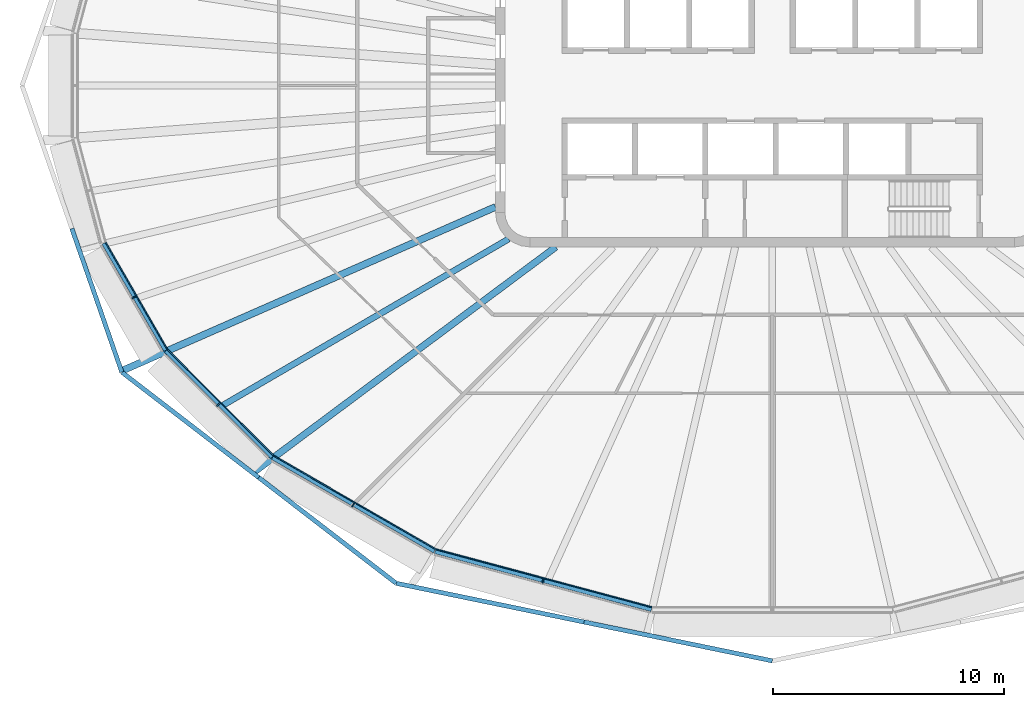
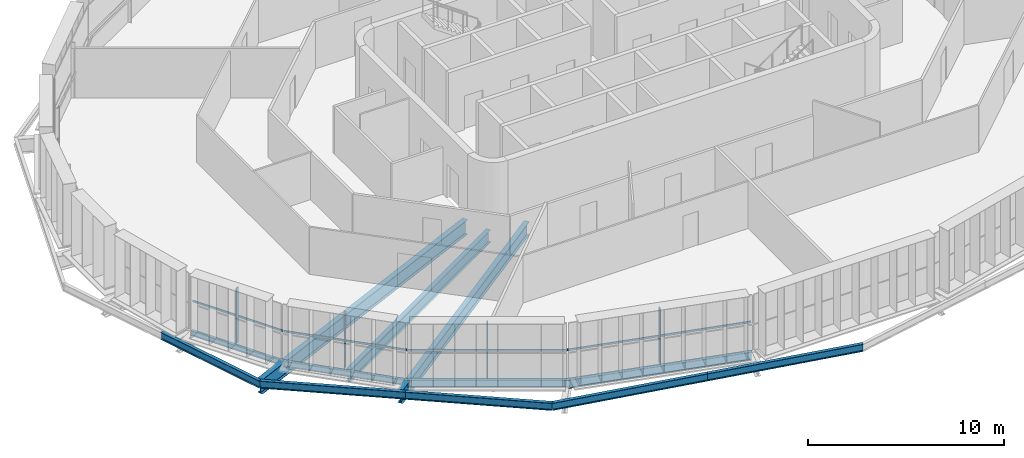
# One storey, part 1 of 20: 12 beams, 8 members, 4 elements without a shape of their own.
"""IFC4 building model written with IfcOpenShell, lengths in metres."""

from ifc_helpers import new_model, si_unit, direction, frame, origin, origin_2d, place, context, subcontext, project, spatial, rectangle, i_section, extrude, material, layer, layer_set, material_profile, profile_set, type_object, element, aggregate, save


model = new_model("IFC4")

# Units and contexts
model_context = context("Model", 3, precision=1e-05, world=origin(), true_north=direction((0.0, 1.0)))
body_context = subcontext(model_context, "Body", "Model", "MODEL_VIEW")
ifc_project = project(units=[si_unit("LENGTHUNIT", "METRE"), si_unit("AREAUNIT", "SQUARE_METRE"), si_unit("VOLUMEUNIT", "CUBIC_METRE"), si_unit("PLANEANGLEUNIT", "RADIAN"), si_unit("MASSUNIT", "GRAM", prefix="KILO")], contexts=[model_context])

# Site, building, storey
site_placement = place(None, origin())
site = spatial("IfcSite", under=ifc_project, at=site_placement, CompositionType="ELEMENT")
building_placement = place(site_placement, origin())
building = spatial("IfcBuilding", under=site, at=building_placement, Name="Sahrelin Media Tower", CompositionType="ELEMENT")
storey_placement = place(building_placement, frame((0.0, 0.0, 255.0)))
storey = spatial("IfcBuildingStorey", under=building, at=storey_placement, Name="L55", CompositionType="ELEMENT", Elevation=255.0)

# Beams
ifc_material_1 = material(Name="Steel S355", Category="steel")
ifc_material_profile_1 = material_profile(ifc_material_1, i_section(OverallWidth=0.1650390625, OverallDepth=0.303466796875, WebThickness=0.006103515625, FlangeThickness=0.01025390625, FilletRadius=0.0087890625, at=origin_2d()), Name="UB 305x165x40")
ifc_profile_set_1 = profile_set([ifc_material_profile_1], Name="Steel S355")
beam_type_1 = type_object("IfcBeamType", Name="Edge beam EB2", PredefinedType="BEAM", material=ifc_profile_set_1)
beam_1_placement = place(storey_placement, frame((-26.315673828125, -11.488037109375, -0.3017578125), z_axis=(-0.500040680786, 0.866001915448, 0.0), x_axis=(-0.866001915448, -0.500040680786, 0.0)))
element("IfcBeam", 1, at=beam_1_placement, inside=storey, type_object=beam_type_1, Name="Edge beam L55-11", PredefinedType="BEAM", context=body_context, shape_type="SweptSolid", body=[
    extrude(i_section(OverallWidth=0.1650390625, OverallDepth=0.303466796875, WebThickness=0.006103515625, FlangeThickness=0.01025390625, FilletRadius=0.0087890625, at=origin_2d()), origin(), (0.0, 0.0, 1.0), 5.35693359375),
])
ifc_material_profile_2 = material_profile(ifc_material_1, i_section(OverallWidth=0.17138671875, OverallDepth=0.35498046875, WebThickness=0.00732421875, FlangeThickness=0.011474609375, FilletRadius=0.01025390625, at=origin_2d()), Name="UB 356x171x51")
ifc_profile_set_2 = profile_set([ifc_material_profile_2], Name="Steel S355")
beam_type_2 = type_object("IfcBeamType", Name="Edge beam EB3", PredefinedType="BEAM", material=ifc_profile_set_2)
beam_2_placement = place(storey_placement, frame((-21.694580078125, -16.11474609375, -0.327392578125), z_axis=(-0.707088031255, 0.707125530621, 0.0), x_axis=(-0.707125530621, -0.707088031255, 0.0)))
element("IfcBeam", 2, at=beam_2_placement, inside=storey, type_object=beam_type_2, Name="Edge beam L55-10", PredefinedType="BEAM", context=body_context, shape_type="SweptSolid", body=[
    extrude(i_section(OverallWidth=0.17138671875, OverallDepth=0.35498046875, WebThickness=0.00732421875, FlangeThickness=0.011474609375, FilletRadius=0.01025390625, at=origin_2d()), origin(), (0.0, 0.0, 1.0), 6.510498046875),
])
ifc_material_profile_3 = material_profile(ifc_material_1, i_section(OverallWidth=0.1904296875, OverallDepth=0.45703125, WebThickness=0.009033203125, FlangeThickness=0.014404296875, FilletRadius=0.01025390625, at=origin_2d()), Name="UB 457x191x74")
ifc_profile_set_3 = profile_set([ifc_material_profile_3], Name="Steel S355")
beam_type_3 = type_object("IfcBeamType", Name="Edge beam EB5", PredefinedType="BEAM", material=ifc_profile_set_3)
beam_3_placement = place(storey_placement, frame((-14.64697265625, -20.18798828125, -0.37841796875), z_axis=(-0.866013664775, 0.500020332009, 0.0), x_axis=(-0.500020332009, -0.866013664775, 0.0)))
element("IfcBeam", 3, at=beam_3_placement, inside=storey, type_object=beam_type_3, Name="Edge beam L55-09", PredefinedType="BEAM", context=body_context, shape_type="SweptSolid", body=[
    extrude(i_section(OverallWidth=0.1904296875, OverallDepth=0.45703125, WebThickness=0.009033203125, FlangeThickness=0.014404296875, FilletRadius=0.01025390625, at=origin_2d()), origin(), (0.0, 0.0, 1.0), 8.111572265625),
])
ifc_material_profile_4 = material_profile(ifc_material_1, i_section(OverallWidth=0.208740234375, OverallDepth=0.5283203125, WebThickness=0.009521484375, FlangeThickness=0.01318359375, FilletRadius=0.0126953125, at=origin_2d()), Name="UB 533x210x82")
ifc_profile_set_4 = profile_set([ifc_material_profile_4], Name="Steel S355")
beam_type_4 = type_object("IfcBeamType", Name="Edge beam EB6", PredefinedType="BEAM", material=ifc_profile_set_4)
beam_4_placement = place(storey_placement, frame((-5.239501953125, -22.71240234375, -0.414306640625), z_axis=(-0.965930098294, 0.258803101237, 0.0), x_axis=(-0.258803101237, -0.965930098294, 0.0)))
element("IfcBeam", 4, at=beam_4_placement, inside=storey, type_object=beam_type_4, Name="Edge beam L55-08", PredefinedType="BEAM", context=body_context, shape_type="SweptSolid", body=[
    extrude(i_section(OverallWidth=0.208740234375, OverallDepth=0.5283203125, WebThickness=0.009521484375, FlangeThickness=0.01318359375, FilletRadius=0.0126953125, at=origin_2d()), origin(), (0.0, 0.0, 1.0), 9.711669921875),
])

# Curtain wall, member
ifc_material_2 = material(Name="Champagne anodised aluminium 6063-T6", Category="aluminium")
ifc_layer = layer(ifc_material_2, 0.14990234375)
ifc_layer_set = layer_set([ifc_layer], Name="Tower ribbon curtain wall")
curtain_wall_type = type_object("IfcCurtainWallType", Name="Tower ribbon curtain wall", PredefinedType="NOTDEFINED", material=ifc_layer_set)
curtain_wall_1_placement = place(storey_placement, frame((-27.784912109375, -9.243408203125, 0.0), z_axis=(0.0, 0.0, 1.0), x_axis=(1.0, 0.0, 0.0)))
curtain_wall_1 = element("IfcCurtainWall", 5, at=curtain_wall_1_placement, inside=storey, type_object=curtain_wall_type, Name="L55:CW:L55-14", PredefinedType="NOTDEFINED")
ifc_material_profile_5 = material_profile(ifc_material_2, rectangle(XDim=0.06005859375, YDim=0.199951171875, at=origin_2d()), Name="Mullion 60x200")
ifc_profile_set_5 = profile_set([ifc_material_profile_5], Name="Champagne anodised aluminium 6063-T6")
member_type_1 = type_object("IfcMemberType", Name="Mullion 60x200 CW1C", PredefinedType="MULLION", material=ifc_profile_set_5)
member_1_placement = place(storey_placement, frame((-27.680908203125, -9.183349609375, 0.0), z_axis=(0.0, 0.0, 1.0), x_axis=(0.5, -0.866025403784, 0.0)))
member_1 = element("IfcMember", 6, at=member_1_placement, type_object=member_type_1, Name="L55:CWM:L55-14", PredefinedType="MULLION", context=body_context, shape_type="SweptSolid", body=[
    extrude(rectangle(XDim=0.06005859375, YDim=0.199951171875, at=origin_2d()), origin(), (0.0, 0.0, 1.0), 3.448486328125),
])

curtain_wall_2_placement = place(storey_placement, frame((-24.102294921875, -13.9189453125, 0.0), z_axis=(0.0, 0.0, 1.0), x_axis=(1.0, 0.0, 0.0)))
curtain_wall_2 = element("IfcCurtainWall", 7, at=curtain_wall_2_placement, inside=storey, type_object=curtain_wall_type, Name="L55:CW:L55-15", PredefinedType="NOTDEFINED")
member_2_placement = place(storey_placement, frame((-24.017578125, -13.833984375, 0.0), z_axis=(0.0, 0.0, 1.0), x_axis=(0.707106781187, -0.707106781187, 0.0)))
member_2 = element("IfcMember", 8, at=member_2_placement, type_object=member_type_1, Name="L55:CWM:L55-15", PredefinedType="MULLION", context=body_context, shape_type="SweptSolid", body=[
    extrude(rectangle(XDim=0.06005859375, YDim=0.199951171875, at=origin_2d()), origin(), (0.0, 0.0, 1.0), 3.448486328125),
])

curtain_wall_3_placement = place(storey_placement, frame((-18.234375, -18.2900390625, 0.0), z_axis=(0.0, 0.0, 1.0), x_axis=(1.0, 0.0, 0.0)))
curtain_wall_3 = element("IfcCurtainWall", 9, at=curtain_wall_3_placement, inside=storey, type_object=curtain_wall_type, Name="L55:CW:L55-16", PredefinedType="NOTDEFINED")
member_3_placement = place(storey_placement, frame((-18.17431640625, -18.18603515625, 0.0), z_axis=(0.0, 0.0, 1.0), x_axis=(0.866022785779, -0.500004534492, 0.0)))
member_3 = element("IfcMember", 10, at=member_3_placement, type_object=member_type_1, Name="L55:CWM:L55-16", PredefinedType="MULLION", context=body_context, shape_type="SweptSolid", body=[
    extrude(rectangle(XDim=0.06005859375, YDim=0.199951171875, at=origin_2d()), origin(), (0.0, 0.0, 1.0), 3.448486328125),
])

curtain_wall_4_placement = place(storey_placement, frame((-9.96875, -21.6005859375, 0.0), z_axis=(0.0, 0.0, 1.0), x_axis=(1.0, 0.0, 0.0)))
curtain_wall_4 = element("IfcCurtainWall", 11, at=curtain_wall_4_placement, inside=storey, type_object=curtain_wall_type, Name="L55:CW:L55-17", PredefinedType="NOTDEFINED")
member_4_placement = place(storey_placement, frame((-9.937744140625, -21.484619140625, 0.0), z_axis=(0.0, 0.0, 1.0), x_axis=(0.965926729732, -0.258815673384, 0.0)))
member_4 = element("IfcMember", 12, at=member_4_placement, type_object=member_type_1, Name="L55:CWM:L55-17", PredefinedType="MULLION", context=body_context, shape_type="SweptSolid", body=[
    extrude(rectangle(XDim=0.06005859375, YDim=0.199951171875, at=origin_2d()), origin(), (0.0, 0.0, 1.0), 3.448486328125),
])

# Beams
ifc_material_profile_6 = material_profile(ifc_material_1, i_section(OverallWidth=0.291748046875, OverallDepth=0.8349609375, WebThickness=0.013916015625, FlangeThickness=0.018798828125, FilletRadius=0.017822265625, at=origin_2d()), Name="UB 838x292x176")
ifc_profile_set_6 = profile_set([ifc_material_profile_6], Name="Steel S355")
beam_type_5 = type_object("IfcBeamType", Name="Radial primary beam PB10", PredefinedType="BEAM", material=ifc_profile_set_6)
beam_5_placement = place(storey_placement, frame((-9.38330078125, -7.0, -0.5673828125), z_axis=(-0.801539735745, -0.597941512209, 0.0), x_axis=(0.597941512209, -0.801539735745, 0.0)))
element("IfcBeam", 13, at=beam_5_placement, inside=storey, type_object=beam_type_5, Name="Radial beam L55-16", PredefinedType="BEAM", context=body_context, shape_type="SweptSolid", body=[
    extrude(i_section(OverallWidth=0.291748046875, OverallDepth=0.8349609375, WebThickness=0.013916015625, FlangeThickness=0.018798828125, FilletRadius=0.017822265625, at=origin_2d()), origin(), (0.0, 0.0, 1.0), 16.29736328125),
])
ifc_material_profile_7 = material_profile(ifc_material_1, i_section(OverallWidth=0.30322265625, OverallDepth=0.903076171875, WebThickness=0.01513671875, FlangeThickness=0.020263671875, FilletRadius=0.01904296875, at=origin_2d()), Name="UB 914x305x201")
ifc_profile_set_7 = profile_set([ifc_material_profile_7], Name="Steel S355")
beam_type_6 = type_object("IfcBeamType", Name="Radial primary beam PB11", PredefinedType="BEAM", material=ifc_profile_set_7)
beam_6_placement = place(storey_placement, frame((-12.0, -5.263916015625, -0.6015625), z_axis=(-0.915775333044, -0.401690850515, 0.0), x_axis=(0.401690850515, -0.915775333044, 0.0)))
element("IfcBeam", 14, at=beam_6_placement, inside=storey, type_object=beam_type_6, Name="Radial beam L55-15", PredefinedType="BEAM", context=body_context, shape_type="SweptSolid", body=[
    extrude(i_section(OverallWidth=0.30322265625, OverallDepth=0.903076171875, WebThickness=0.01513671875, FlangeThickness=0.020263671875, FilletRadius=0.01904296875, at=origin_2d()), origin(), (0.0, 0.0, 1.0), 17.620849609375),
])
ifc_material_profile_8 = material_profile(ifc_material_1, i_section(OverallWidth=0.26513671875, OverallDepth=0.75390625, WebThickness=0.0126953125, FlangeThickness=0.017578125, FilletRadius=0.0166015625, at=origin_2d()), Name="UB 762x267x147")
ifc_profile_set_8 = profile_set([ifc_material_profile_8], Name="Steel S355")
beam_type_7 = type_object("IfcBeamType", Name="Radial secondary beam SB9", PredefinedType="BEAM", material=ifc_profile_set_8)
beam_7_placement = place(storey_placement, frame((-11.435546875, -6.65673828125, -0.527099609375), z_axis=(-0.86424748062, -0.503066886449, 0.0), x_axis=(0.503066886449, -0.86424748062, 0.0)))
element("IfcBeam", 15, at=beam_7_placement, inside=storey, type_object=beam_type_7, Name="Secondary beam L55-15", PredefinedType="BEAM", context=body_context, shape_type="SweptSolid", body=[
    extrude(i_section(OverallWidth=0.26513671875, OverallDepth=0.75390625, WebThickness=0.0126953125, FlangeThickness=0.017578125, FilletRadius=0.0166015625, at=origin_2d()), origin(), (0.0, 0.0, 1.0), 14.33154296875),
])
ifc_material_profile_9 = material_profile(ifc_material_1, i_section(OverallWidth=0.1904296875, OverallDepth=0.45703125, WebThickness=0.009033203125, FlangeThickness=0.014404296875, FilletRadius=0.01025390625, at=origin_2d()), Name="UB 457x191x74")
ifc_profile_set_9 = profile_set([ifc_material_profile_9], Name="Steel S355")
beam_type_8 = type_object("IfcBeamType", Name="Tie chord TC5", PredefinedType="BEAM", material=ifc_profile_set_9)
beam_8_placement = place(storey_placement, frame((0.0, -24.950439453125, -0.37841796875), z_axis=(-0.979377314884, 0.202039785911, 0.0), x_axis=(-0.202039785911, -0.979377314884, 0.0)))
element("IfcBeam", 16, at=beam_8_placement, inside=storey, type_object=beam_type_8, Name="Tie chord L55-07", PredefinedType="BEAM", context=body_context, shape_type="SweptSolid", body=[
    extrude(i_section(OverallWidth=0.1904296875, OverallDepth=0.45703125, WebThickness=0.009033203125, FlangeThickness=0.014404296875, FilletRadius=0.01025390625, at=origin_2d()), origin(), (0.0, 0.0, 1.0), 8.3330078125),
])
beam_9_placement = place(storey_placement, frame((-8.1611328125, -23.266845703125, -0.37841796875), z_axis=(-0.979395476459, 0.201951728619, 0.0), x_axis=(-0.201951728619, -0.979395476459, 0.0)))
element("IfcBeam", 17, at=beam_9_placement, inside=storey, type_object=beam_type_8, Name="Tie chord L55-08", PredefinedType="BEAM", context=body_context, shape_type="SweptSolid", body=[
    extrude(i_section(OverallWidth=0.1904296875, OverallDepth=0.45703125, WebThickness=0.009033203125, FlangeThickness=0.014404296875, FilletRadius=0.01025390625, at=origin_2d()), origin(), (0.0, 0.0, 1.0), 8.322021484375),
])
beam_10_placement = place(storey_placement, frame((-16.311767578125, -21.586181640625, -0.37841796875), z_axis=(-0.79247670773, 0.609902178801, 0.0), x_axis=(-0.609902178801, -0.79247670773, 0.0)))
element("IfcBeam", 18, at=beam_10_placement, inside=storey, type_object=beam_type_8, Name="Tie chord L55-09", PredefinedType="BEAM", context=body_context, shape_type="SweptSolid", body=[
    extrude(i_section(OverallWidth=0.1904296875, OverallDepth=0.45703125, WebThickness=0.009033203125, FlangeThickness=0.014404296875, FilletRadius=0.01025390625, at=origin_2d()), origin(), (0.0, 0.0, 1.0), 7.51904296875),
])
beam_11_placement = place(storey_placement, frame((-22.2705078125, -17.000244140625, -0.37841796875), z_axis=(-0.792439782885, 0.609950154112, 0.0), x_axis=(-0.609950154112, -0.792439782885, 0.0)))
element("IfcBeam", 19, at=beam_11_placement, inside=storey, type_object=beam_type_8, Name="Tie chord L55-10", PredefinedType="BEAM", context=body_context, shape_type="SweptSolid", body=[
    extrude(i_section(OverallWidth=0.1904296875, OverallDepth=0.45703125, WebThickness=0.009033203125, FlangeThickness=0.014404296875, FilletRadius=0.01025390625, at=origin_2d()), origin(), (0.0, 0.0, 1.0), 7.490478515625),
])
beam_12_placement = place(storey_placement, frame((-28.206298828125, -12.431396484375, -0.37841796875), z_axis=(-0.328710220354, 0.944430829143, 0.0), x_axis=(-0.944430829143, -0.328710220354, 0.0)))
element("IfcBeam", 20, at=beam_12_placement, inside=storey, type_object=beam_type_8, Name="Tie chord L55-11", PredefinedType="BEAM", context=body_context, shape_type="SweptSolid", body=[
    extrude(i_section(OverallWidth=0.1904296875, OverallDepth=0.45703125, WebThickness=0.009033203125, FlangeThickness=0.014404296875, FilletRadius=0.01025390625, at=origin_2d()), origin(), (0.0, 0.0, 1.0), 6.592529296875),
])

# Member
ifc_material_profile_10 = material_profile(ifc_material_2, rectangle(XDim=0.050048828125, YDim=0.1201171875, at=origin_2d()), Name="Transom 50x120")
ifc_profile_set_10 = profile_set([ifc_material_profile_10], Name="Champagne anodised aluminium 6063-T6")
member_type_2 = type_object("IfcMemberType", Name="Transom 50x120 CW1C", PredefinedType="USERDEFINED", material=ifc_profile_set_10)
member_5_placement = place(storey_placement, frame((-28.904052734375, -6.81494140625, 1.60009765625), z_axis=(0.500009491695, -0.866019923683, 0.0), x_axis=(0.866019923683, 0.500009491695, 0.0)))
member_5 = element("IfcMember", 21, at=member_5_placement, type_object=member_type_2, Name="L55:CWT:L55-14", ObjectType="TRANSOM", PredefinedType="USERDEFINED", context=body_context, shape_type="SweptSolid", body=[
    extrude(rectangle(XDim=0.050048828125, YDim=0.1201171875, at=origin_2d()), origin(), (0.0, 0.0, 1.0), 5.32568359375),
])

aggregate(curtain_wall_1, [member_1, member_5])

member_6_placement = place(storey_placement, frame((-26.219970703125, -11.454833984375, 1.60009765625), z_axis=(0.707106781187, -0.707106781187, 0.0), x_axis=(0.707106781187, 0.707106781187, 0.0)))
member_6 = element("IfcMember", 22, at=member_6_placement, type_object=member_type_2, Name="L55:CWT:L55-15", ObjectType="TRANSOM", PredefinedType="USERDEFINED", context=body_context, shape_type="SweptSolid", body=[
    extrude(rectangle(XDim=0.050048828125, YDim=0.1201171875, at=origin_2d()), origin(), (0.0, 0.0, 1.0), 6.479248046875),
])

aggregate(curtain_wall_2, [member_2, member_6])

member_7_placement = place(storey_placement, frame((-21.610595703125, -16.057861328125, 1.60009765625), z_axis=(0.866025579307, -0.499999695987, 0.0), x_axis=(0.499999695987, 0.866025579307, 0.0)))
member_7 = element("IfcMember", 23, at=member_7_placement, type_object=member_type_2, Name="L55:CWT:L55-16", ObjectType="TRANSOM", PredefinedType="USERDEFINED", context=body_context, shape_type="SweptSolid", body=[
    extrude(rectangle(XDim=0.050048828125, YDim=0.1201171875, at=origin_2d()), origin(), (0.0, 0.0, 1.0), 8.080078125),
])

aggregate(curtain_wall_3, [member_3, member_7])

member_8_placement = place(storey_placement, frame((-14.58056640625, -20.111328125, 1.60009765625), z_axis=(0.96592868915, -0.258808360524, 0.0), x_axis=(0.258808360524, 0.96592868915, 0.0)))
member_8 = element("IfcMember", 24, at=member_8_placement, type_object=member_type_2, Name="L55:CWT:L55-17", ObjectType="TRANSOM", PredefinedType="USERDEFINED", context=body_context, shape_type="SweptSolid", body=[
    extrude(rectangle(XDim=0.050048828125, YDim=0.1201171875, at=origin_2d()), origin(), (0.0, 0.0, 1.0), 9.680419921875),
])

aggregate(curtain_wall_4, [member_4, member_8])

save(model, "model.ifc")
